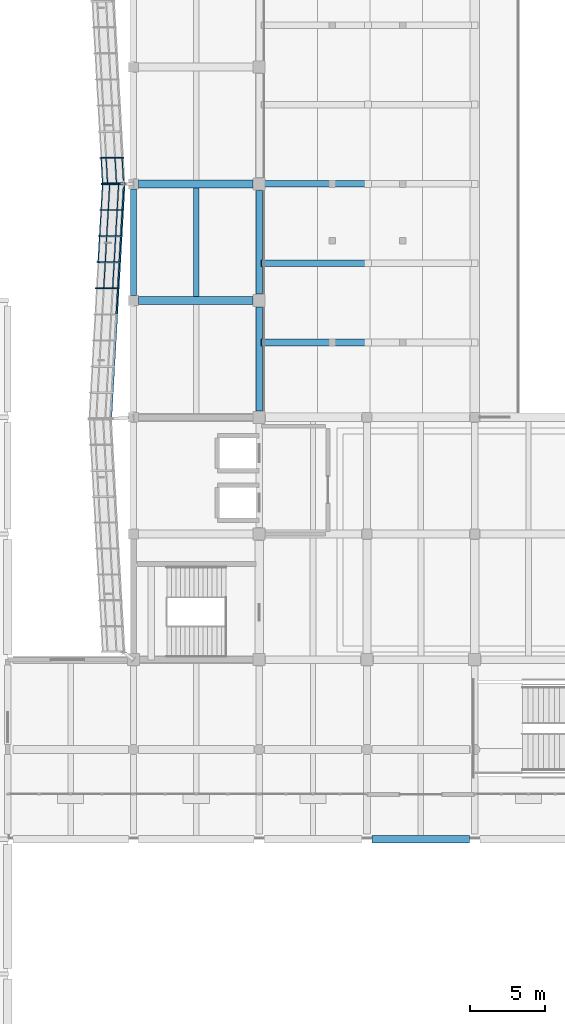
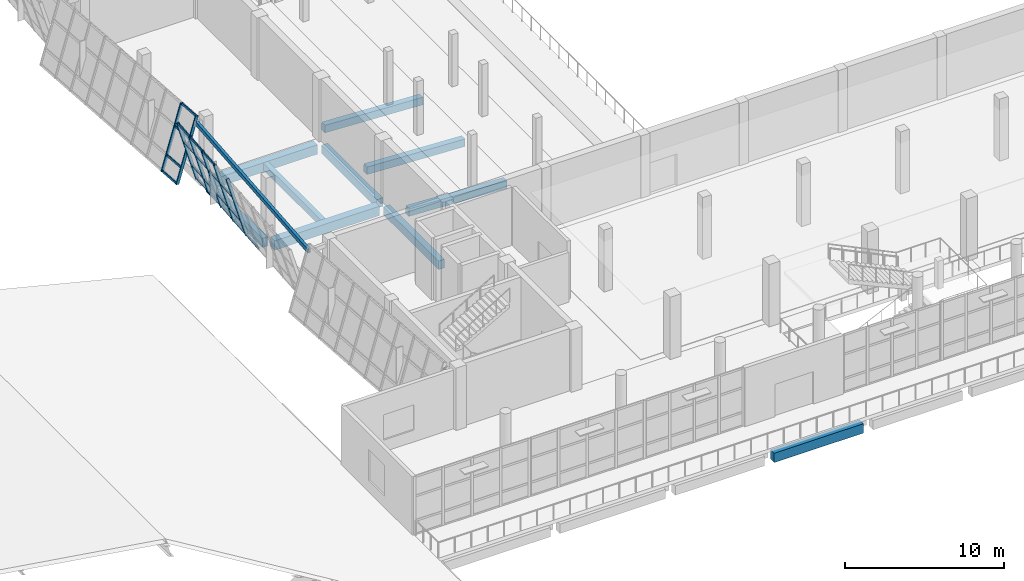
# One storey, part 10 of 79: 27 members, 11 beams, 2 elements without a shape of their own.
"""IFC4 building model written with IfcOpenShell, lengths in metres."""

from ifc_helpers import new_model, si_unit, direction, frame, origin, origin_2d, place, context, subcontext, project, spatial, rectangle, hollow_rectangle, extrude, material, material_profile, profile_set, type_object, element, aggregate, save


model = new_model("IFC4")

# Units and contexts
model_context = context("Model", 3, precision=1e-05, world=origin(), true_north=direction((0.0, 1.0)))
body_context = subcontext(model_context, "Body", "Model", "MODEL_VIEW")
ifc_project = project(units=[si_unit("LENGTHUNIT", "METRE"), si_unit("AREAUNIT", "SQUARE_METRE"), si_unit("VOLUMEUNIT", "CUBIC_METRE"), si_unit("PLANEANGLEUNIT", "RADIAN"), si_unit("MASSUNIT", "GRAM", prefix="KILO")], contexts=[model_context])

# Site, building, storey
site_placement = place(None, origin())
site = spatial("IfcSite", under=ifc_project, at=site_placement, CompositionType="ELEMENT")
building_placement = place(site_placement, origin())
building = spatial("IfcBuilding", under=site, at=building_placement, Name="Pellamere Symphony Hall", CompositionType="ELEMENT")
storey_placement = place(building_placement, frame((0.0, 0.0, 10.199951171875)))
storey = spatial("IfcBuildingStorey", under=building, at=storey_placement, Name="L02", CompositionType="ELEMENT", Elevation=10.199951171875)

# Curtain wall, members
ifc_material_1 = material(Name="Thermally Broken Anodised Aluminium 6063-T6 Curtain Wall", Category="aluminium")
curtain_wall_type = type_object("IfcCurtainWallType", Name="Curtain Wall CW-01 (Tilted Faceted Crystal Low-Iron Curtain Wall)", PredefinedType="NOTDEFINED", material=ifc_material_1)
curtain_wall_1_placement = place(storey_placement, origin())
curtain_wall_1 = element("IfcCurtainWall", 1, at=curtain_wall_1_placement, inside=storey, type_object=curtain_wall_type, Name="Crystal Faceted Curtain Wall CW-CR16 (L02)", PredefinedType="NOTDEFINED")
ifc_material_2 = material(Name="Anodised Architectural Aluminium 6063-T6", Category="aluminium")
ifc_material_profile_1 = material_profile(ifc_material_2, hollow_rectangle(XDim=0.074951171875, YDim=0.219970703125, WallThickness=0.0048828125, at=origin_2d()), Name="ALU-M75X220X5")
ifc_profile_set_1 = profile_set([ifc_material_profile_1], Name="Anodised Architectural Aluminium 6063-T6")
member_type_1 = type_object("IfcMemberType", Name="Curtain Wall Mullion ML-01 ALU-M75X220X5", PredefinedType="MULLION", material=ifc_profile_set_1)
member_1_placement = place(storey_placement, frame((48.228271484375, 63.54443359375, 0.0), z_axis=(0.283977077304, 0.0, 0.958831069358), x_axis=(-0.054874749346, 0.99836096977, 0.016252259063)))
member_1 = element("IfcMember", 2, at=member_1_placement, type_object=member_type_1, Name="CW1-044 crystal mullion 9", PredefinedType="MULLION", context=body_context, shape_type="SweptSolid", body=[
    extrude(hollow_rectangle(XDim=0.074951171875, YDim=0.219970703125, WallThickness=0.0048828125, at=origin_2d()), origin(), (0.0, 0.0, 1.0), 5.006103515625),
])
member_2_placement = place(storey_placement, frame((48.326171875, 61.83740234375, 0.0), z_axis=(0.283977077304, 0.0, 0.958831069358), x_axis=(-0.054874749346, 0.99836096977, 0.016252259063)))
member_2 = element("IfcMember", 3, at=member_2_placement, type_object=member_type_1, Name="CW1-044 crystal mullion 10", PredefinedType="MULLION", context=body_context, shape_type="SweptSolid", body=[
    extrude(hollow_rectangle(XDim=0.074951171875, YDim=0.219970703125, WallThickness=0.0048828125, at=origin_2d()), origin(), (0.0, 0.0, 1.0), 5.006103515625),
])

curtain_wall_2_placement = place(storey_placement, origin())
curtain_wall_2 = element("IfcCurtainWall", 4, at=curtain_wall_2_placement, inside=storey, type_object=curtain_wall_type, Name="Crystal Faceted Curtain Wall CW-CR17 (L02)", PredefinedType="NOTDEFINED")
member_3_placement = place(storey_placement, frame((49.747802734375, 61.762451171875, 0.0), z_axis=(-0.283977077304, 0.0, 0.958831069358), x_axis=(-0.054874749346, -0.99836096977, -0.016252259063)))
member_3 = element("IfcMember", 5, at=member_3_placement, type_object=member_type_1, Name="CW1-049 crystal mullion 1", PredefinedType="MULLION", context=body_context, shape_type="SweptSolid", body=[
    extrude(hollow_rectangle(XDim=0.074951171875, YDim=0.219970703125, WallThickness=0.0048828125, at=origin_2d()), origin(), (0.0, 0.0, 1.0), 5.006103515625),
])
member_4_placement = place(storey_placement, frame((49.64990234375, 60.0556640625, 0.0), z_axis=(-0.283977077304, 0.0, 0.958831069358), x_axis=(-0.054874749346, -0.99836096977, -0.016252259063)))
member_4 = element("IfcMember", 6, at=member_4_placement, type_object=member_type_1, Name="CW1-049 crystal mullion 2", PredefinedType="MULLION", context=body_context, shape_type="SweptSolid", body=[
    extrude(hollow_rectangle(XDim=0.074951171875, YDim=0.219970703125, WallThickness=0.0048828125, at=origin_2d()), origin(), (0.0, 0.0, 1.0), 5.006103515625),
])
member_5_placement = place(storey_placement, frame((49.550048828125, 58.31103515625, 0.0), z_axis=(-0.284021911736, 0.0, 0.9588177896), x_axis=(-0.054873989333, -0.99836096977, -0.016254824977)))
member_5 = element("IfcMember", 7, at=member_5_placement, type_object=member_type_1, Name="CW1-049 crystal mullion 3", PredefinedType="MULLION", context=body_context, shape_type="SweptSolid", body=[
    extrude(hollow_rectangle(XDim=0.074951171875, YDim=0.219970703125, WallThickness=0.0048828125, at=origin_2d()), origin(), (0.0, 0.0, 1.0), 5.006103515625),
])
member_6_placement = place(storey_placement, frame((49.449951171875, 56.566650390625, 0.0), z_axis=(-0.283977077304, 0.0, 0.958831069358), x_axis=(-0.054874749346, -0.99836096977, -0.016252259063)))
member_6 = element("IfcMember", 8, at=member_6_placement, type_object=member_type_1, Name="CW1-049 crystal mullion 4", PredefinedType="MULLION", context=body_context, shape_type="SweptSolid", body=[
    extrude(hollow_rectangle(XDim=0.074951171875, YDim=0.219970703125, WallThickness=0.0048828125, at=origin_2d()), origin(), (0.0, 0.0, 1.0), 5.006103515625),
])
member_7_placement = place(storey_placement, frame((49.35009765625, 54.822265625, 0.0), z_axis=(-0.284021911736, 0.0, 0.9588177896), x_axis=(-0.054873989333, -0.99836096977, -0.016254824977)))
member_7 = element("IfcMember", 9, at=member_7_placement, type_object=member_type_1, Name="CW1-049 crystal mullion 5", PredefinedType="MULLION", context=body_context, shape_type="SweptSolid", body=[
    extrude(hollow_rectangle(XDim=0.074951171875, YDim=0.219970703125, WallThickness=0.0048828125, at=origin_2d()), origin(), (0.0, 0.0, 1.0), 5.006103515625),
])

# Member
ifc_material_profile_2 = material_profile(ifc_material_2, hollow_rectangle(XDim=0.074951171875, YDim=0.179931640625, WallThickness=0.0048828125, at=origin_2d()), Name="ALU-T75X180X5")
ifc_profile_set_2 = profile_set([ifc_material_profile_2], Name="Anodised Architectural Aluminium 6063-T6")
member_type_2 = type_object("IfcMemberType", Name="Curtain Wall Transom TR-01 ALU-T75X180X5", PredefinedType="USERDEFINED", material=ifc_profile_set_2)
member_8_placement = place(storey_placement, frame((48.240966796875, 63.507080078125, 0.035888671875), z_axis=(0.057190120561, -0.998363305671, 0.0), x_axis=(0.998363305671, 0.057190120561, 0.0)))
member_8 = element("IfcMember", 10, at=member_8_placement, type_object=member_type_2, Name="CW1-044 crystal transom 9.1", ObjectType="TRANSOM", PredefinedType="USERDEFINED", context=body_context, shape_type="SweptSolid", body=[
    extrude(hollow_rectangle(XDim=0.074951171875, YDim=0.179931640625, WallThickness=0.0048828125, at=origin_2d()), origin(), (0.0, 0.0, 1.0), 1.635009765625),
])

member_9_placement = place(storey_placement, frame((48.571533203125, 63.507080078125, 1.152099609375), z_axis=(0.057190120561, -0.998363305671, 0.0), x_axis=(0.998363305671, 0.057190120561, 0.0)))
member_9 = element("IfcMember", 11, at=member_9_placement, type_object=member_type_2, Name="CW1-044 crystal transom 9.2", ObjectType="TRANSOM", PredefinedType="USERDEFINED", context=body_context, shape_type="SweptSolid", body=[
    extrude(hollow_rectangle(XDim=0.074951171875, YDim=0.179931640625, WallThickness=0.0048828125, at=origin_2d()), origin(), (0.0, 0.0, 1.0), 1.635009765625),
])

member_10_placement = place(storey_placement, frame((49.168701171875, 63.507080078125, 3.16796875), z_axis=(0.057190120561, -0.998363305671, 0.0), x_axis=(0.998363305671, 0.057190120561, 0.0)))
member_10 = element("IfcMember", 12, at=member_10_placement, type_object=member_type_2, Name="CW1-044 crystal transom 9.3", ObjectType="TRANSOM", PredefinedType="USERDEFINED", context=body_context, shape_type="SweptSolid", body=[
    extrude(hollow_rectangle(XDim=0.074951171875, YDim=0.179931640625, WallThickness=0.0048828125, at=origin_2d()), origin(), (0.0, 0.0, 1.0), 1.635009765625),
])

member_11_placement = place(storey_placement, frame((49.6416015625, 63.507080078125, 4.76416015625), z_axis=(0.057190120561, -0.998363305671, 0.0), x_axis=(0.998363305671, 0.057190120561, 0.0)))
member_11 = element("IfcMember", 13, at=member_11_placement, type_object=member_type_2, Name="CW1-044 crystal transom 9.4", ObjectType="TRANSOM", PredefinedType="USERDEFINED", context=body_context, shape_type="SweptSolid", body=[
    extrude(hollow_rectangle(XDim=0.074951171875, YDim=0.179931640625, WallThickness=0.0048828125, at=origin_2d()), origin(), (0.0, 0.0, 1.0), 1.635009765625),
])

aggregate(curtain_wall_1, [member_1, member_2, member_8, member_9, member_10, member_11])

member_12_placement = place(storey_placement, frame((49.735107421875, 61.72509765625, 0.035888671875), z_axis=(-0.057198647566, -0.998362817175, 0.0), x_axis=(0.998362817175, -0.057198647566, 0.0)))
member_12 = element("IfcMember", 14, at=member_12_placement, type_object=member_type_2, Name="CW1-049 crystal transom 1.1", ObjectType="TRANSOM", PredefinedType="USERDEFINED", context=body_context, shape_type="SweptSolid", body=[
    extrude(hollow_rectangle(XDim=0.074951171875, YDim=0.179931640625, WallThickness=0.0048828125, at=origin_2d()), origin(), (0.0, 0.0, 1.0), 1.634765625),
])

member_13_placement = place(storey_placement, frame((49.404541015625, 61.72509765625, 1.152099609375), z_axis=(-0.057198647566, -0.998362817175, 0.0), x_axis=(0.998362817175, -0.057198647566, 0.0)))
member_13 = element("IfcMember", 15, at=member_13_placement, type_object=member_type_2, Name="CW1-049 crystal transom 1.2", ObjectType="TRANSOM", PredefinedType="USERDEFINED", context=body_context, shape_type="SweptSolid", body=[
    extrude(hollow_rectangle(XDim=0.074951171875, YDim=0.179931640625, WallThickness=0.0048828125, at=origin_2d()), origin(), (0.0, 0.0, 1.0), 1.634765625),
])

member_14_placement = place(storey_placement, frame((48.807373046875, 61.72509765625, 3.16796875), z_axis=(-0.057198647566, -0.998362817175, 0.0), x_axis=(0.998362817175, -0.057198647566, 0.0)))
member_14 = element("IfcMember", 16, at=member_14_placement, type_object=member_type_2, Name="CW1-049 crystal transom 1.3", ObjectType="TRANSOM", PredefinedType="USERDEFINED", context=body_context, shape_type="SweptSolid", body=[
    extrude(hollow_rectangle(XDim=0.074951171875, YDim=0.179931640625, WallThickness=0.0048828125, at=origin_2d()), origin(), (0.0, 0.0, 1.0), 1.634765625),
])

member_15_placement = place(storey_placement, frame((48.33447265625, 61.72509765625, 4.76416015625), z_axis=(-0.057198647566, -0.998362817175, 0.0), x_axis=(0.998362817175, -0.057198647566, 0.0)))
member_15 = element("IfcMember", 17, at=member_15_placement, type_object=member_type_2, Name="CW1-049 crystal transom 1.4", ObjectType="TRANSOM", PredefinedType="USERDEFINED", context=body_context, shape_type="SweptSolid", body=[
    extrude(hollow_rectangle(XDim=0.074951171875, YDim=0.179931640625, WallThickness=0.0048828125, at=origin_2d()), origin(), (0.0, 0.0, 1.0), 1.634765625),
])

member_16_placement = place(storey_placement, frame((49.63720703125, 60.01806640625, 0.035888671875), z_axis=(-0.057232737422, -0.998360863499, 0.0), x_axis=(0.998360863499, -0.057232737422, 0.0)))
member_16 = element("IfcMember", 18, at=member_16_placement, type_object=member_type_2, Name="CW1-049 crystal transom 2.1", ObjectType="TRANSOM", PredefinedType="USERDEFINED", context=body_context, shape_type="SweptSolid", body=[
    extrude(hollow_rectangle(XDim=0.074951171875, YDim=0.179931640625, WallThickness=0.0048828125, at=origin_2d()), origin(), (0.0, 0.0, 1.0), 1.672119140625),
])

member_17_placement = place(storey_placement, frame((49.306640625, 60.01806640625, 1.152099609375), z_axis=(-0.057232737422, -0.998360863499, 0.0), x_axis=(0.998360863499, -0.057232737422, 0.0)))
member_17 = element("IfcMember", 19, at=member_17_placement, type_object=member_type_2, Name="CW1-049 crystal transom 2.2", ObjectType="TRANSOM", PredefinedType="USERDEFINED", context=body_context, shape_type="SweptSolid", body=[
    extrude(hollow_rectangle(XDim=0.074951171875, YDim=0.179931640625, WallThickness=0.0048828125, at=origin_2d()), origin(), (0.0, 0.0, 1.0), 1.672119140625),
])

member_18_placement = place(storey_placement, frame((48.70947265625, 60.01806640625, 3.16796875), z_axis=(-0.057232737422, -0.998360863499, 0.0), x_axis=(0.998360863499, -0.057232737422, 0.0)))
member_18 = element("IfcMember", 20, at=member_18_placement, type_object=member_type_2, Name="CW1-049 crystal transom 2.3", ObjectType="TRANSOM", PredefinedType="USERDEFINED", context=body_context, shape_type="SweptSolid", body=[
    extrude(hollow_rectangle(XDim=0.074951171875, YDim=0.179931640625, WallThickness=0.0048828125, at=origin_2d()), origin(), (0.0, 0.0, 1.0), 1.672119140625),
])

member_19_placement = place(storey_placement, frame((48.23681640625, 60.01806640625, 4.76416015625), z_axis=(-0.057232737422, -0.998360863499, 0.0), x_axis=(0.998360863499, -0.057232737422, 0.0)))
member_19 = element("IfcMember", 21, at=member_19_placement, type_object=member_type_2, Name="CW1-049 crystal transom 2.4", ObjectType="TRANSOM", PredefinedType="USERDEFINED", context=body_context, shape_type="SweptSolid", body=[
    extrude(hollow_rectangle(XDim=0.074951171875, YDim=0.179931640625, WallThickness=0.0048828125, at=origin_2d()), origin(), (0.0, 0.0, 1.0), 1.672119140625),
])

member_20_placement = place(storey_placement, frame((49.537109375, 58.273681640625, 0.035888671875), z_axis=(-0.057224396245, -0.998361341637, 0.0), x_axis=(0.998361341637, -0.057224396245, 0.0)))
member_20 = element("IfcMember", 22, at=member_20_placement, type_object=member_type_2, Name="CW1-049 crystal transom 3.1", ObjectType="TRANSOM", PredefinedType="USERDEFINED", context=body_context, shape_type="SweptSolid", body=[
    extrude(hollow_rectangle(XDim=0.074951171875, YDim=0.179931640625, WallThickness=0.0048828125, at=origin_2d()), origin(), (0.0, 0.0, 1.0), 1.67236328125),
])

member_21_placement = place(storey_placement, frame((49.20654296875, 58.273681640625, 1.152099609375), z_axis=(-0.057224396245, -0.998361341637, 0.0), x_axis=(0.998361341637, -0.057224396245, 0.0)))
member_21 = element("IfcMember", 23, at=member_21_placement, type_object=member_type_2, Name="CW1-049 crystal transom 3.2", ObjectType="TRANSOM", PredefinedType="USERDEFINED", context=body_context, shape_type="SweptSolid", body=[
    extrude(hollow_rectangle(XDim=0.074951171875, YDim=0.179931640625, WallThickness=0.0048828125, at=origin_2d()), origin(), (0.0, 0.0, 1.0), 1.67236328125),
])

member_22_placement = place(storey_placement, frame((48.609375, 58.273681640625, 3.16796875), z_axis=(-0.057224396245, -0.998361341637, 0.0), x_axis=(0.998361341637, -0.057224396245, 0.0)))
member_22 = element("IfcMember", 24, at=member_22_placement, type_object=member_type_2, Name="CW1-049 crystal transom 3.3", ObjectType="TRANSOM", PredefinedType="USERDEFINED", context=body_context, shape_type="SweptSolid", body=[
    extrude(hollow_rectangle(XDim=0.074951171875, YDim=0.179931640625, WallThickness=0.0048828125, at=origin_2d()), origin(), (0.0, 0.0, 1.0), 1.67236328125),
])

member_23_placement = place(storey_placement, frame((48.13671875, 58.273681640625, 4.76416015625), z_axis=(-0.057224396245, -0.998361341637, 0.0), x_axis=(0.998361341637, -0.057224396245, 0.0)))
member_23 = element("IfcMember", 25, at=member_23_placement, type_object=member_type_2, Name="CW1-049 crystal transom 3.4", ObjectType="TRANSOM", PredefinedType="USERDEFINED", context=body_context, shape_type="SweptSolid", body=[
    extrude(hollow_rectangle(XDim=0.074951171875, YDim=0.179931640625, WallThickness=0.0048828125, at=origin_2d()), origin(), (0.0, 0.0, 1.0), 1.67236328125),
])

member_24_placement = place(storey_placement, frame((49.437255859375, 56.529296875, 0.035888671875), z_axis=(-0.057224396245, -0.998361341637, 0.0), x_axis=(0.998361341637, -0.057224396245, 0.0)))
member_24 = element("IfcMember", 26, at=member_24_placement, type_object=member_type_2, Name="CW1-049 crystal transom 4.1", ObjectType="TRANSOM", PredefinedType="USERDEFINED", context=body_context, shape_type="SweptSolid", body=[
    extrude(hollow_rectangle(XDim=0.074951171875, YDim=0.179931640625, WallThickness=0.0048828125, at=origin_2d()), origin(), (0.0, 0.0, 1.0), 1.67236328125),
])

member_25_placement = place(storey_placement, frame((49.106689453125, 56.529296875, 1.152099609375), z_axis=(-0.057224396245, -0.998361341637, 0.0), x_axis=(0.998361341637, -0.057224396245, 0.0)))
member_25 = element("IfcMember", 27, at=member_25_placement, type_object=member_type_2, Name="CW1-049 crystal transom 4.2", ObjectType="TRANSOM", PredefinedType="USERDEFINED", context=body_context, shape_type="SweptSolid", body=[
    extrude(hollow_rectangle(XDim=0.074951171875, YDim=0.179931640625, WallThickness=0.0048828125, at=origin_2d()), origin(), (0.0, 0.0, 1.0), 1.67236328125),
])

member_26_placement = place(storey_placement, frame((48.509521484375, 56.529296875, 3.16796875), z_axis=(-0.057224396245, -0.998361341637, 0.0), x_axis=(0.998361341637, -0.057224396245, 0.0)))
member_26 = element("IfcMember", 28, at=member_26_placement, type_object=member_type_2, Name="CW1-049 crystal transom 4.3", ObjectType="TRANSOM", PredefinedType="USERDEFINED", context=body_context, shape_type="SweptSolid", body=[
    extrude(hollow_rectangle(XDim=0.074951171875, YDim=0.179931640625, WallThickness=0.0048828125, at=origin_2d()), origin(), (0.0, 0.0, 1.0), 1.67236328125),
])

member_27_placement = place(storey_placement, frame((49.337158203125, 54.78466796875, 0.035888671875), z_axis=(-0.057232737422, -0.998360863499, 0.0), x_axis=(0.998360863499, -0.057232737422, 0.0)))
member_27 = element("IfcMember", 29, at=member_27_placement, type_object=member_type_2, Name="CW1-049 crystal transom 5.1", ObjectType="TRANSOM", PredefinedType="USERDEFINED", context=body_context, shape_type="SweptSolid", body=[
    extrude(hollow_rectangle(XDim=0.074951171875, YDim=0.179931640625, WallThickness=0.0048828125, at=origin_2d()), origin(), (0.0, 0.0, 1.0), 1.672119140625),
])

aggregate(curtain_wall_2, [member_3, member_4, member_5, member_6, member_7, member_12, member_13, member_14, member_15, member_16, member_17, member_18, member_19, member_20, member_21, member_22, member_23, member_24, member_25, member_26, member_27])

# Beams
ifc_material_3 = material(Name="Concrete 40 MPa", Category="concrete")
ifc_material_profile_3 = material_profile(ifc_material_3, rectangle(XDim=0.449951171875, YDim=0.64990234375, at=origin_2d()), Name="RC 450x650")
ifc_profile_set_3 = profile_set([ifc_material_profile_3], Name="Concrete 40 MPa")
beam_type_1 = type_object("IfcBeamType", Name="RC CB-08 450x650", PredefinedType="BEAM", material=ifc_profile_set_3)
for number, where, z_axis, x_axis, name in (
    (30, (58.800048828125, 46.625, -0.60498046875), (0.0, 1.0, 0.0), (-1.0, 0.0, 0.0), "Girder CB-08-Y1263 (L02)"),
    (31, (58.800048828125, 54.425048828125, -0.60498046875), (0.0, 1.0, 0.0), (-1.0, 0.0, 0.0), "Girder CB-08-Y1264 (L02)"),
):
    element("IfcBeam", number, at=place(storey_placement, frame(where, z_axis=z_axis, x_axis=x_axis)), inside=storey, type_object=beam_type_1, Name=name, PredefinedType="BEAM", context=body_context, shape_type="SweptSolid", body=[
        extrude(rectangle(XDim=0.449951171875, YDim=0.64990234375, at=origin_2d()), origin(), (0.0, 0.0, 1.0), 6.949951171875),
    ])
ifc_material_4 = material(Name="Concrete 35 MPa", Category="concrete")
ifc_material_profile_4 = material_profile(ifc_material_4, rectangle(XDim=0.35009765625, YDim=0.550048828125, at=origin_2d()), Name="RC 350x550")
ifc_profile_set_4 = profile_set([ifc_material_profile_4], Name="Concrete 35 MPa")
beam_type_2 = type_object("IfcBeamType", Name="RC CB-10 350x550", PredefinedType="BEAM", material=ifc_profile_set_4)
beam_1_placement = place(storey_placement, frame((54.60009765625, 54.27001953125, -0.570068359375), z_axis=(0.0, 1.0, 0.0), x_axis=(-1.0, 0.0, 0.0)))
element("IfcBeam", 32, at=beam_1_placement, inside=storey, type_object=beam_type_2, Name="Secondary Floor Beam CB-10-M0607 (L02)", PredefinedType="BEAM", context=body_context, shape_type="SweptSolid", body=[
    extrude(rectangle(XDim=0.35009765625, YDim=0.550048828125, at=origin_2d()), origin(), (0.0, 0.0, 1.0), 7.260009765625),
])
ifc_material_profile_5 = material_profile(ifc_material_3, rectangle(XDim=0.39990234375, YDim=0.699951171875, at=origin_2d()), Name="RC 400x700")
ifc_profile_set_5 = profile_set([ifc_material_profile_5], Name="Concrete 40 MPa")
beam_type_3 = type_object("IfcBeamType", Name="RC CB-13 400x700", PredefinedType="SPANDREL", material=ifc_profile_set_5)
beam_2_placement = place(storey_placement, frame((50.39990234375, 54.35009765625, -0.6298828125), z_axis=(0.0, 1.0, 0.0), x_axis=(-1.0, 0.0, 0.0)))
element("IfcBeam", 33, at=beam_2_placement, inside=storey, type_object=beam_type_3, Name="Girder CB-13-Y1253 (L02)", PredefinedType="SPANDREL", context=body_context, shape_type="SweptSolid", body=[
    extrude(rectangle(XDim=0.39990234375, YDim=0.699951171875, at=origin_2d()), origin(), (0.0, 0.0, 1.0), 7.099853515625),
])
ifc_material_profile_6 = material_profile(ifc_material_3, rectangle(XDim=0.47998046875, YDim=0.719970703125, at=origin_2d()), Name="RC 480x720")
ifc_profile_set_6 = profile_set([ifc_material_profile_6], Name="Concrete 40 MPa")
beam_type_4 = type_object("IfcBeamType", Name="RC CB-14 480x720", PredefinedType="SPANDREL", material=ifc_profile_set_6)
beam_3_placement = place(storey_placement, frame((66.35009765625, 18.0, -0.639892578125), z_axis=(1.0, 0.0, 0.0), x_axis=(0.0, 1.0, 0.0)))
element("IfcBeam", 34, at=beam_3_placement, inside=storey, type_object=beam_type_4, Name="Girder CB-14-X1043 (L02)", PredefinedType="SPANDREL", context=body_context, shape_type="SweptSolid", body=[
    extrude(rectangle(XDim=0.47998046875, YDim=0.719970703125, at=origin_2d()), origin(), (0.0, 0.0, 1.0), 6.5),
])
ifc_material_profile_7 = material_profile(ifc_material_3, rectangle(XDim=0.43994140625, YDim=0.580078125, at=origin_2d()), Name="RC 440x580")
ifc_profile_set_7 = profile_set([ifc_material_profile_7], Name="Concrete 40 MPa")
beam_type_5 = type_object("IfcBeamType", Name="RC CB-20 440x580", PredefinedType="BEAM", material=ifc_profile_set_7)
for number, where, z_axis, x_axis, name in (
    (35, (66.074951171875, 51.199951171875, 0.360107421875), (-0.998930221819, 0.0, 0.04624296634), (0.0, -1.0, 0.0), "Stand Upper Circle Raker Beam CB-20-039"),
    (36, (66.074951171875, 56.5, 0.360107421875), (-0.998930221819, 0.0, 0.04624296634), (0.0, -1.0, 0.0), "Stand Upper Circle Raker Beam CB-20-041"),
    (37, (66.074951171875, 61.800048828125, 0.360107421875), (-0.998930221819, 0.0, 0.04624296634), (0.0, -1.0, 0.0), "Stand Upper Circle Raker Beam CB-20-043"),
):
    element("IfcBeam", number, at=place(storey_placement, frame(where, z_axis=z_axis, x_axis=x_axis)), inside=storey, type_object=beam_type_5, Name=name, PredefinedType="BEAM", context=body_context, shape_type="SweptSolid", body=[
        extrude(rectangle(XDim=0.43994140625, YDim=0.580078125, at=origin_2d()), origin(), (0.0, 0.0, 1.0), 7.132568359375),
    ])
ifc_material_profile_8 = material_profile(ifc_material_3, rectangle(XDim=0.5400390625, YDim=0.719970703125, at=origin_2d()), Name="RC 540x720")
ifc_profile_set_8 = profile_set([ifc_material_profile_8], Name="Concrete 40 MPa")
beam_type_6 = type_object("IfcBeamType", Name="RC CB-24 540x720", PredefinedType="BEAM", material=ifc_profile_set_8)
for number, where, z_axis, x_axis, name in (
    (38, (50.75, 54.0, -0.639892578125), (1.0, 0.0, 0.0), (0.0, 1.0, 0.0), "Girder CB-24-X1134 (L02)"),
    (39, (50.75, 61.800048828125, -0.639892578125), (1.0, 0.0, 0.0), (0.0, 1.0, 0.0), "Girder CB-24-X1142 (L02)"),
):
    element("IfcBeam", number, at=place(storey_placement, frame(where, z_axis=z_axis, x_axis=x_axis)), inside=storey, type_object=beam_type_6, Name=name, PredefinedType="BEAM", context=body_context, shape_type="SweptSolid", body=[
        extrude(rectangle(XDim=0.5400390625, YDim=0.719970703125, at=origin_2d()), origin(), (0.0, 0.0, 1.0), 7.625),
    ])
ifc_material_5 = material(Name="Steel CSA G40.21 350W", Category="steel")
ifc_material_profile_9 = material_profile(ifc_material_5, hollow_rectangle(XDim=0.203125, YDim=0.3046875, WallThickness=0.0126953125, at=origin_2d()), Name="HSS305X203X13")
ifc_profile_set_9 = profile_set([ifc_material_profile_9], Name="Steel CSA G40.21 350W")
beam_type_7 = type_object("IfcBeamType", Name="Steel Spandrel SB-26 HSS305X203X13", PredefinedType="SPANDREL", material=ifc_profile_set_9)
beam_4_placement = place(storey_placement, frame((49.75, 61.800048828125, 4.239990234375), z_axis=(-0.057224871396, -0.998361314402, 0.0), x_axis=(0.998361314402, -0.057224871396, 0.0)))
element("IfcBeam", 40, at=beam_4_placement, inside=storey, type_object=beam_type_7, Name="Crystal Perimeter Ring Beam CW-CR17 (L02)", PredefinedType="SPANDREL", context=body_context, shape_type="SweptSolid", body=[
    extrude(hollow_rectangle(XDim=0.203125, YDim=0.3046875, WallThickness=0.0126953125, at=origin_2d()), origin(), (0.0, 0.0, 1.0), 15.725830078125),
])

save(model, "model.ifc")
